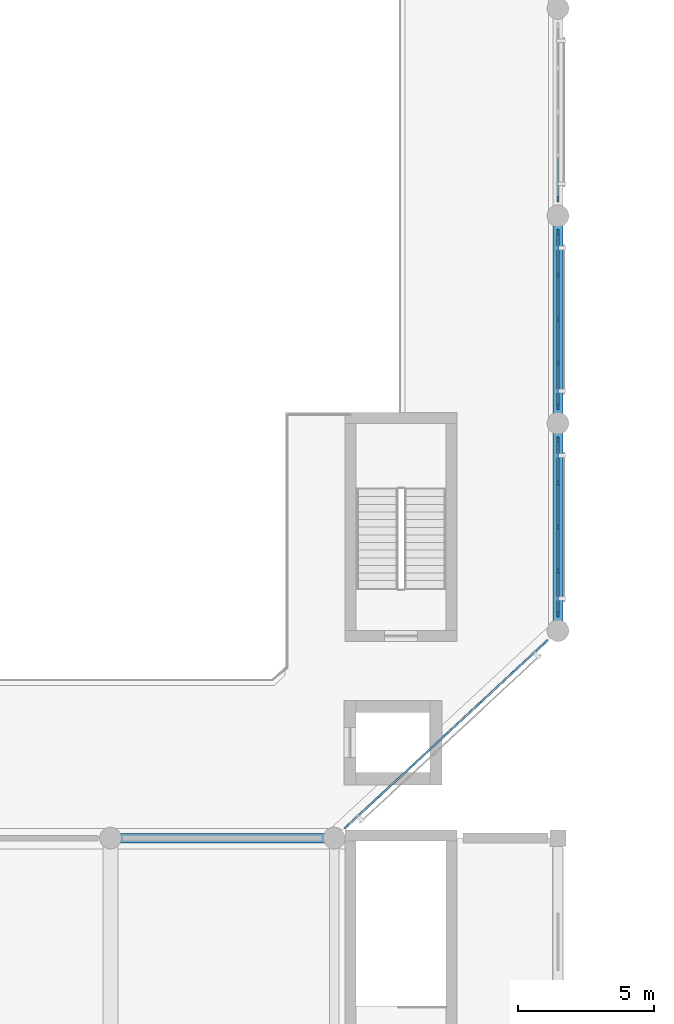
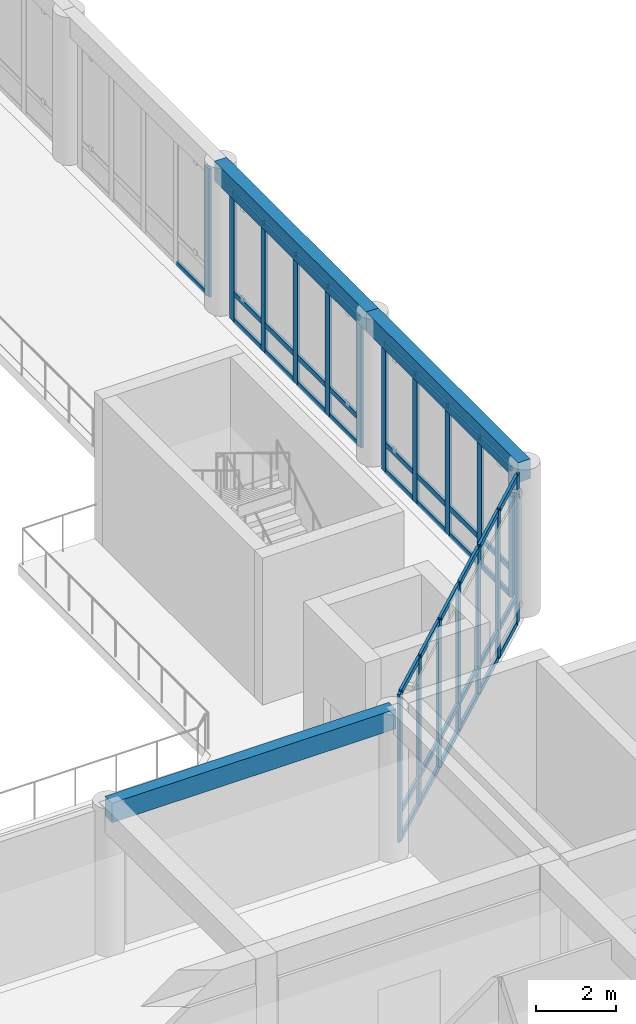
# One storey, part 7 of 57: 61 members, 3 beams, 4 elements without a shape of their own.
"""IFC4 building model written with IfcOpenShell, lengths in metres."""

from ifc_helpers import new_model, si_unit, direction, frame, origin, origin_2d, place, context, subcontext, project, spatial, rectangle, extrude, material, material_profile, profile_set, type_object, element, aggregate, save


model = new_model("IFC4")

# Units and contexts
model_context = context("Model", 3, precision=1e-05, world=origin(), true_north=direction((0.0, 1.0)))
body_context = subcontext(model_context, "Body", "Model", "MODEL_VIEW")
ifc_project = project(units=[si_unit("LENGTHUNIT", "METRE"), si_unit("AREAUNIT", "SQUARE_METRE"), si_unit("VOLUMEUNIT", "CUBIC_METRE"), si_unit("PLANEANGLEUNIT", "RADIAN"), si_unit("MASSUNIT", "GRAM", prefix="KILO")], contexts=[model_context])

# Site, building, storey
site_placement = place(None, origin())
site = spatial("IfcSite", under=ifc_project, at=site_placement, CompositionType="ELEMENT")
building_placement = place(site_placement, origin())
building = spatial("IfcBuilding", under=site, at=building_placement, Name="Qandaris Square Conservatory and Botanical Centre", CompositionType="ELEMENT")
storey_placement = place(building_placement, frame((0.0, 0.0, 5.39990234375)))
storey = spatial("IfcBuildingStorey", under=building, at=storey_placement, Name="L01", CompositionType="ELEMENT", Elevation=5.39990234375)

# Curtain wall, members
ifc_material_1 = material(Name="Anodised Aluminium", Category="aluminium")
curtain_wall_type_1 = type_object("IfcCurtainWallType", Name="Unitised Curtain Wall CW-1-1002x452", PredefinedType="USERDEFINED", material=ifc_material_1)
curtain_wall_1_placement = place(storey_placement, origin())
curtain_wall_1 = element("IfcCurtainWall", 1, at=curtain_wall_1_placement, inside=storey, type_object=curtain_wall_type_1, Name="Curtain Wall CW-CON-L01-2-1", ObjectType="GLAZED CURTAIN WALL", PredefinedType="USERDEFINED")
ifc_material_profile_1 = material_profile(ifc_material_1, rectangle(XDim=0.074951171875, YDim=0.219970703125, at=origin_2d()), Name="ALU-MUL 75x220")
ifc_profile_set_1 = profile_set([ifc_material_profile_1], Name="Anodised Aluminium")
member_type_1 = type_object("IfcMemberType", Name="Conservatory Heavy Mullion 75x220", PredefinedType="MULLION", material=ifc_profile_set_1)
member_1_placement = place(storey_placement, frame((49.452880859375, 47.419677734375, 0.0), z_axis=(0.0, 0.0, 1.0), x_axis=(-0.679761784592, 0.733432966404, 0.0)))
member_1 = element("IfcMember", 2, at=member_1_placement, type_object=member_type_1, Name="CW-1-1002x452 mullion 1", PredefinedType="MULLION", context=body_context, shape_type="SweptSolid", body=[
    extrude(rectangle(XDim=0.074951171875, YDim=0.219970703125, at=origin_2d()), origin(), (0.0, 0.0, 1.0), 4.52001953125),
])
member_2_placement = place(storey_placement, frame((50.650146484375, 48.529541015625, 0.0), z_axis=(0.0, 0.0, 1.0), x_axis=(-0.679761784592, 0.733432966404, 0.0)))
member_2 = element("IfcMember", 3, at=member_2_placement, type_object=member_type_1, Name="CW-1-1002x452 mullion 2", PredefinedType="MULLION", context=body_context, shape_type="SweptSolid", body=[
    extrude(rectangle(XDim=0.074951171875, YDim=0.219970703125, at=origin_2d()), origin(), (0.0, 0.0, 1.0), 4.52001953125),
])
member_3_placement = place(storey_placement, frame((51.875244140625, 49.664794921875, 0.0), z_axis=(0.0, 0.0, 1.0), x_axis=(-0.679761784592, 0.733432966404, 0.0)))
member_3 = element("IfcMember", 4, at=member_3_placement, type_object=member_type_1, Name="CW-1-1002x452 mullion 3", PredefinedType="MULLION", context=body_context, shape_type="SweptSolid", body=[
    extrude(rectangle(XDim=0.074951171875, YDim=0.219970703125, at=origin_2d()), origin(), (0.0, 0.0, 1.0), 4.52001953125),
])
member_4_placement = place(storey_placement, frame((53.10009765625, 50.800048828125, 0.0), z_axis=(0.0, 0.0, 1.0), x_axis=(-0.679761784592, 0.733432966404, 0.0)))
member_4 = element("IfcMember", 5, at=member_4_placement, type_object=member_type_1, Name="CW-1-1002x452 mullion 4", PredefinedType="MULLION", context=body_context, shape_type="SweptSolid", body=[
    extrude(rectangle(XDim=0.074951171875, YDim=0.219970703125, at=origin_2d()), origin(), (0.0, 0.0, 1.0), 4.52001953125),
])
member_5_placement = place(storey_placement, frame((54.324951171875, 51.935302734375, 0.0), z_axis=(0.0, 0.0, 1.0), x_axis=(-0.679761784592, 0.733432966404, 0.0)))
member_5 = element("IfcMember", 6, at=member_5_placement, type_object=member_type_1, Name="CW-1-1002x452 mullion 5", PredefinedType="MULLION", context=body_context, shape_type="SweptSolid", body=[
    extrude(rectangle(XDim=0.074951171875, YDim=0.219970703125, at=origin_2d()), origin(), (0.0, 0.0, 1.0), 4.52001953125),
])
member_6_placement = place(storey_placement, frame((55.5498046875, 53.070556640625, 0.0), z_axis=(0.0, 0.0, 1.0), x_axis=(-0.679761784592, 0.733432966404, 0.0)))
member_6 = element("IfcMember", 7, at=member_6_placement, type_object=member_type_1, Name="CW-1-1002x452 mullion 6", PredefinedType="MULLION", context=body_context, shape_type="SweptSolid", body=[
    extrude(rectangle(XDim=0.074951171875, YDim=0.219970703125, at=origin_2d()), origin(), (0.0, 0.0, 1.0), 4.52001953125),
])
member_7_placement = place(storey_placement, frame((56.7470703125, 54.18017578125, 0.0), z_axis=(0.0, 0.0, 1.0), x_axis=(-0.679761784592, 0.733432966404, 0.0)))
member_7 = element("IfcMember", 8, at=member_7_placement, type_object=member_type_1, Name="CW-1-1002x452 mullion 7", PredefinedType="MULLION", context=body_context, shape_type="SweptSolid", body=[
    extrude(rectangle(XDim=0.074951171875, YDim=0.219970703125, at=origin_2d()), origin(), (0.0, 0.0, 1.0), 4.52001953125),
])

curtain_wall_type_2 = type_object("IfcCurtainWallType", Name="Unitised Curtain Wall CW-1-644x392", PredefinedType="USERDEFINED", material=ifc_material_1)
curtain_wall_2_placement = place(storey_placement, origin())
curtain_wall_2 = element("IfcCurtainWall", 9, at=curtain_wall_2_placement, inside=storey, type_object=curtain_wall_type_2, Name="Curtain Wall CW-CON-L01-3-1", ObjectType="GLAZED CURTAIN WALL", PredefinedType="USERDEFINED")
member_8_placement = place(storey_placement, frame((57.199951171875, 55.217529296875, 0.0), z_axis=(0.0, 0.0, 1.0), x_axis=(-1.0, 0.0, 0.0)))
member_8 = element("IfcMember", 10, at=member_8_placement, type_object=member_type_1, Name="CW-1-644x392 mullion 1", PredefinedType="MULLION", context=body_context, shape_type="SweptSolid", body=[
    extrude(rectangle(XDim=0.074951171875, YDim=0.219970703125, at=origin_2d()), origin(), (0.0, 0.0, 1.0), 3.920166015625),
])
member_9_placement = place(storey_placement, frame((57.199951171875, 56.7900390625, 0.0), z_axis=(0.0, 0.0, 1.0), x_axis=(-1.0, 0.0, 0.0)))
member_9 = element("IfcMember", 11, at=member_9_placement, type_object=member_type_1, Name="CW-1-644x392 mullion 2", PredefinedType="MULLION", context=body_context, shape_type="SweptSolid", body=[
    extrude(rectangle(XDim=0.074951171875, YDim=0.219970703125, at=origin_2d()), origin(), (0.0, 0.0, 1.0), 3.920166015625),
])
member_10_placement = place(storey_placement, frame((57.199951171875, 58.39990234375, 0.0), z_axis=(0.0, 0.0, 1.0), x_axis=(-1.0, 0.0, 0.0)))
member_10 = element("IfcMember", 12, at=member_10_placement, type_object=member_type_1, Name="CW-1-644x392 mullion 3", PredefinedType="MULLION", context=body_context, shape_type="SweptSolid", body=[
    extrude(rectangle(XDim=0.074951171875, YDim=0.219970703125, at=origin_2d()), origin(), (0.0, 0.0, 1.0), 3.920166015625),
])
member_11_placement = place(storey_placement, frame((57.199951171875, 60.010009765625, 0.0), z_axis=(0.0, 0.0, 1.0), x_axis=(-1.0, 0.0, 0.0)))
member_11 = element("IfcMember", 13, at=member_11_placement, type_object=member_type_1, Name="CW-1-644x392 mullion 4", PredefinedType="MULLION", context=body_context, shape_type="SweptSolid", body=[
    extrude(rectangle(XDim=0.074951171875, YDim=0.219970703125, at=origin_2d()), origin(), (0.0, 0.0, 1.0), 3.920166015625),
])
member_12_placement = place(storey_placement, frame((57.199951171875, 61.58251953125, 0.0), z_axis=(0.0, 0.0, 1.0), x_axis=(-1.0, 0.0, 0.0)))
member_12 = element("IfcMember", 14, at=member_12_placement, type_object=member_type_1, Name="CW-1-644x392 mullion 5", PredefinedType="MULLION", context=body_context, shape_type="SweptSolid", body=[
    extrude(rectangle(XDim=0.074951171875, YDim=0.219970703125, at=origin_2d()), origin(), (0.0, 0.0, 1.0), 3.920166015625),
])

curtain_wall_3_placement = place(storey_placement, origin())
curtain_wall_3 = element("IfcCurtainWall", 15, at=curtain_wall_3_placement, inside=storey, type_object=curtain_wall_type_2, Name="Curtain Wall CW-CON-L01-3-2", ObjectType="GLAZED CURTAIN WALL", PredefinedType="USERDEFINED")
member_13_placement = place(storey_placement, frame((57.199951171875, 62.8173828125, 0.0), z_axis=(0.0, 0.0, 1.0), x_axis=(-1.0, 0.0, 0.0)))
member_13 = element("IfcMember", 16, at=member_13_placement, type_object=member_type_1, Name="CW-1-644x392 mullion 1", PredefinedType="MULLION", context=body_context, shape_type="SweptSolid", body=[
    extrude(rectangle(XDim=0.074951171875, YDim=0.219970703125, at=origin_2d()), origin(), (0.0, 0.0, 1.0), 3.920166015625),
])
member_14_placement = place(storey_placement, frame((57.199951171875, 64.389892578125, 0.0), z_axis=(0.0, 0.0, 1.0), x_axis=(-1.0, 0.0, 0.0)))
member_14 = element("IfcMember", 17, at=member_14_placement, type_object=member_type_1, Name="CW-1-644x392 mullion 2", PredefinedType="MULLION", context=body_context, shape_type="SweptSolid", body=[
    extrude(rectangle(XDim=0.074951171875, YDim=0.219970703125, at=origin_2d()), origin(), (0.0, 0.0, 1.0), 3.920166015625),
])
member_15_placement = place(storey_placement, frame((57.199951171875, 66.0, 0.0), z_axis=(0.0, 0.0, 1.0), x_axis=(-1.0, 0.0, 0.0)))
member_15 = element("IfcMember", 18, at=member_15_placement, type_object=member_type_1, Name="CW-1-644x392 mullion 3", PredefinedType="MULLION", context=body_context, shape_type="SweptSolid", body=[
    extrude(rectangle(XDim=0.074951171875, YDim=0.219970703125, at=origin_2d()), origin(), (0.0, 0.0, 1.0), 3.920166015625),
])
member_16_placement = place(storey_placement, frame((57.199951171875, 67.610107421875, 0.0), z_axis=(0.0, 0.0, 1.0), x_axis=(-1.0, 0.0, 0.0)))
member_16 = element("IfcMember", 19, at=member_16_placement, type_object=member_type_1, Name="CW-1-644x392 mullion 4", PredefinedType="MULLION", context=body_context, shape_type="SweptSolid", body=[
    extrude(rectangle(XDim=0.074951171875, YDim=0.219970703125, at=origin_2d()), origin(), (0.0, 0.0, 1.0), 3.920166015625),
])
member_17_placement = place(storey_placement, frame((57.199951171875, 69.1826171875, 0.0), z_axis=(0.0, 0.0, 1.0), x_axis=(-1.0, 0.0, 0.0)))
member_17 = element("IfcMember", 20, at=member_17_placement, type_object=member_type_1, Name="CW-1-644x392 mullion 5", PredefinedType="MULLION", context=body_context, shape_type="SweptSolid", body=[
    extrude(rectangle(XDim=0.074951171875, YDim=0.219970703125, at=origin_2d()), origin(), (0.0, 0.0, 1.0), 3.920166015625),
])

# Curtain wall, member
curtain_wall_4_placement = place(storey_placement, origin())
curtain_wall_4 = element("IfcCurtainWall", 21, at=curtain_wall_4_placement, inside=storey, type_object=curtain_wall_type_2, Name="Curtain Wall CW-CON-L01-3-3", ObjectType="GLAZED CURTAIN WALL", PredefinedType="USERDEFINED")
member_18_placement = place(storey_placement, frame((57.199951171875, 70.41748046875, 0.0), z_axis=(0.0, 0.0, 1.0), x_axis=(-1.0, 0.0, 0.0)))
member_18 = element("IfcMember", 22, at=member_18_placement, type_object=member_type_1, Name="CW-1-644x392 mullion 1", PredefinedType="MULLION", context=body_context, shape_type="SweptSolid", body=[
    extrude(rectangle(XDim=0.074951171875, YDim=0.219970703125, at=origin_2d()), origin(), (0.0, 0.0, 1.0), 3.920166015625),
])

# Member
ifc_material_profile_2 = material_profile(ifc_material_1, rectangle(XDim=0.074951171875, YDim=0.159912109375, at=origin_2d()), Name="ALU-TRN 75x160")
ifc_profile_set_2 = profile_set([ifc_material_profile_2], Name="Anodised Aluminium")
member_type_2 = type_object("IfcMemberType", Name="Conservatory Heavy Transom 75x160", PredefinedType="USERDEFINED", material=ifc_profile_set_2)
member_19_placement = place(storey_placement, frame((49.48046875, 47.4453125, 0.03759765625), z_axis=(0.733401706001, 0.679795511632, 0.0), x_axis=(-0.679795511632, 0.733401706001, 0.0)))
member_19 = element("IfcMember", 23, at=member_19_placement, type_object=member_type_2, Name="CW-1-1002x452 transom 1.1", ObjectType="TRANSOM", PredefinedType="USERDEFINED", context=body_context, shape_type="SweptSolid", body=[
    extrude(rectangle(XDim=0.074951171875, YDim=0.159912109375, at=origin_2d()), origin(), (0.0, 0.0, 1.0), 1.5576171875),
])

member_20_placement = place(storey_placement, frame((49.48046875, 47.4453125, 0.85009765625), z_axis=(0.733401706001, 0.679795511632, 0.0), x_axis=(-0.679795511632, 0.733401706001, 0.0)))
member_20 = element("IfcMember", 24, at=member_20_placement, type_object=member_type_2, Name="CW-1-1002x452 transom 1.2", ObjectType="TRANSOM", PredefinedType="USERDEFINED", context=body_context, shape_type="SweptSolid", body=[
    extrude(rectangle(XDim=0.074951171875, YDim=0.159912109375, at=origin_2d()), origin(), (0.0, 0.0, 1.0), 1.5576171875),
])

member_21_placement = place(storey_placement, frame((49.48046875, 47.4453125, 4.482666015625), z_axis=(0.733401706001, 0.679795511632, 0.0), x_axis=(-0.679795511632, 0.733401706001, 0.0)))
member_21 = element("IfcMember", 25, at=member_21_placement, type_object=member_type_2, Name="CW-1-1002x452 transom 1.3", ObjectType="TRANSOM", PredefinedType="USERDEFINED", context=body_context, shape_type="SweptSolid", body=[
    extrude(rectangle(XDim=0.074951171875, YDim=0.159912109375, at=origin_2d()), origin(), (0.0, 0.0, 1.0), 1.5576171875),
])

member_22_placement = place(storey_placement, frame((50.677734375, 48.554931640625, 0.03759765625), z_axis=(0.733458213943, 0.679734542597, 0.0), x_axis=(-0.679734542597, 0.733458213943, 0.0)))
member_22 = element("IfcMember", 26, at=member_22_placement, type_object=member_type_2, Name="CW-1-1002x452 transom 2.1", ObjectType="TRANSOM", PredefinedType="USERDEFINED", context=body_context, shape_type="SweptSolid", body=[
    extrude(rectangle(XDim=0.074951171875, YDim=0.159912109375, at=origin_2d()), origin(), (0.0, 0.0, 1.0), 1.594970703125),
])

member_23_placement = place(storey_placement, frame((50.677734375, 48.554931640625, 0.85009765625), z_axis=(0.733458213943, 0.679734542597, 0.0), x_axis=(-0.679734542597, 0.733458213943, 0.0)))
member_23 = element("IfcMember", 27, at=member_23_placement, type_object=member_type_2, Name="CW-1-1002x452 transom 2.2", ObjectType="TRANSOM", PredefinedType="USERDEFINED", context=body_context, shape_type="SweptSolid", body=[
    extrude(rectangle(XDim=0.074951171875, YDim=0.159912109375, at=origin_2d()), origin(), (0.0, 0.0, 1.0), 1.594970703125),
])

member_24_placement = place(storey_placement, frame((50.677734375, 48.554931640625, 4.482666015625), z_axis=(0.733458213943, 0.679734542597, 0.0), x_axis=(-0.679734542597, 0.733458213943, 0.0)))
member_24 = element("IfcMember", 28, at=member_24_placement, type_object=member_type_2, Name="CW-1-1002x452 transom 2.3", ObjectType="TRANSOM", PredefinedType="USERDEFINED", context=body_context, shape_type="SweptSolid", body=[
    extrude(rectangle(XDim=0.074951171875, YDim=0.159912109375, at=origin_2d()), origin(), (0.0, 0.0, 1.0), 1.594970703125),
])

member_25_placement = place(storey_placement, frame((51.902587890625, 49.690185546875, 0.03759765625), z_axis=(0.733458213943, 0.679734542597, 0.0), x_axis=(-0.679734542597, 0.733458213943, 0.0)))
member_25 = element("IfcMember", 29, at=member_25_placement, type_object=member_type_2, Name="CW-1-1002x452 transom 3.1", ObjectType="TRANSOM", PredefinedType="USERDEFINED", context=body_context, shape_type="SweptSolid", body=[
    extrude(rectangle(XDim=0.074951171875, YDim=0.159912109375, at=origin_2d()), origin(), (0.0, 0.0, 1.0), 1.594970703125),
])

member_26_placement = place(storey_placement, frame((51.902587890625, 49.690185546875, 0.85009765625), z_axis=(0.733458213943, 0.679734542597, 0.0), x_axis=(-0.679734542597, 0.733458213943, 0.0)))
member_26 = element("IfcMember", 30, at=member_26_placement, type_object=member_type_2, Name="CW-1-1002x452 transom 3.2", ObjectType="TRANSOM", PredefinedType="USERDEFINED", context=body_context, shape_type="SweptSolid", body=[
    extrude(rectangle(XDim=0.074951171875, YDim=0.159912109375, at=origin_2d()), origin(), (0.0, 0.0, 1.0), 1.594970703125),
])

member_27_placement = place(storey_placement, frame((51.902587890625, 49.690185546875, 4.482666015625), z_axis=(0.733458213943, 0.679734542597, 0.0), x_axis=(-0.679734542597, 0.733458213943, 0.0)))
member_27 = element("IfcMember", 31, at=member_27_placement, type_object=member_type_2, Name="CW-1-1002x452 transom 3.3", ObjectType="TRANSOM", PredefinedType="USERDEFINED", context=body_context, shape_type="SweptSolid", body=[
    extrude(rectangle(XDim=0.074951171875, YDim=0.159912109375, at=origin_2d()), origin(), (0.0, 0.0, 1.0), 1.594970703125),
])

member_28_placement = place(storey_placement, frame((53.12744140625, 50.825439453125, 0.03759765625), z_axis=(0.733458213943, 0.679734542597, 0.0), x_axis=(-0.679734542597, 0.733458213943, 0.0)))
member_28 = element("IfcMember", 32, at=member_28_placement, type_object=member_type_2, Name="CW-1-1002x452 transom 4.1", ObjectType="TRANSOM", PredefinedType="USERDEFINED", context=body_context, shape_type="SweptSolid", body=[
    extrude(rectangle(XDim=0.074951171875, YDim=0.159912109375, at=origin_2d()), origin(), (0.0, 0.0, 1.0), 1.594970703125),
])

member_29_placement = place(storey_placement, frame((53.12744140625, 50.825439453125, 0.85009765625), z_axis=(0.733458213943, 0.679734542597, 0.0), x_axis=(-0.679734542597, 0.733458213943, 0.0)))
member_29 = element("IfcMember", 33, at=member_29_placement, type_object=member_type_2, Name="CW-1-1002x452 transom 4.2", ObjectType="TRANSOM", PredefinedType="USERDEFINED", context=body_context, shape_type="SweptSolid", body=[
    extrude(rectangle(XDim=0.074951171875, YDim=0.159912109375, at=origin_2d()), origin(), (0.0, 0.0, 1.0), 1.594970703125),
])

member_30_placement = place(storey_placement, frame((53.12744140625, 50.825439453125, 4.482666015625), z_axis=(0.733458213943, 0.679734542597, 0.0), x_axis=(-0.679734542597, 0.733458213943, 0.0)))
member_30 = element("IfcMember", 34, at=member_30_placement, type_object=member_type_2, Name="CW-1-1002x452 transom 4.3", ObjectType="TRANSOM", PredefinedType="USERDEFINED", context=body_context, shape_type="SweptSolid", body=[
    extrude(rectangle(XDim=0.074951171875, YDim=0.159912109375, at=origin_2d()), origin(), (0.0, 0.0, 1.0), 1.594970703125),
])

member_31_placement = place(storey_placement, frame((54.352294921875, 51.960693359375, 0.03759765625), z_axis=(0.733458213943, 0.679734542597, 0.0), x_axis=(-0.679734542597, 0.733458213943, 0.0)))
member_31 = element("IfcMember", 35, at=member_31_placement, type_object=member_type_2, Name="CW-1-1002x452 transom 5.1", ObjectType="TRANSOM", PredefinedType="USERDEFINED", context=body_context, shape_type="SweptSolid", body=[
    extrude(rectangle(XDim=0.074951171875, YDim=0.159912109375, at=origin_2d()), origin(), (0.0, 0.0, 1.0), 1.594970703125),
])

member_32_placement = place(storey_placement, frame((54.352294921875, 51.960693359375, 0.85009765625), z_axis=(0.733458213943, 0.679734542597, 0.0), x_axis=(-0.679734542597, 0.733458213943, 0.0)))
member_32 = element("IfcMember", 36, at=member_32_placement, type_object=member_type_2, Name="CW-1-1002x452 transom 5.2", ObjectType="TRANSOM", PredefinedType="USERDEFINED", context=body_context, shape_type="SweptSolid", body=[
    extrude(rectangle(XDim=0.074951171875, YDim=0.159912109375, at=origin_2d()), origin(), (0.0, 0.0, 1.0), 1.594970703125),
])

member_33_placement = place(storey_placement, frame((54.352294921875, 51.960693359375, 4.482666015625), z_axis=(0.733458213943, 0.679734542597, 0.0), x_axis=(-0.679734542597, 0.733458213943, 0.0)))
member_33 = element("IfcMember", 37, at=member_33_placement, type_object=member_type_2, Name="CW-1-1002x452 transom 5.3", ObjectType="TRANSOM", PredefinedType="USERDEFINED", context=body_context, shape_type="SweptSolid", body=[
    extrude(rectangle(XDim=0.074951171875, YDim=0.159912109375, at=origin_2d()), origin(), (0.0, 0.0, 1.0), 1.594970703125),
])

member_34_placement = place(storey_placement, frame((55.5771484375, 53.095947265625, 0.03759765625), z_axis=(0.733401706001, 0.679795511632, 0.0), x_axis=(-0.679795511632, 0.733401706001, 0.0)))
member_34 = element("IfcMember", 38, at=member_34_placement, type_object=member_type_2, Name="CW-1-1002x452 transom 6.1", ObjectType="TRANSOM", PredefinedType="USERDEFINED", context=body_context, shape_type="SweptSolid", body=[
    extrude(rectangle(XDim=0.074951171875, YDim=0.159912109375, at=origin_2d()), origin(), (0.0, 0.0, 1.0), 1.5576171875),
])

member_35_placement = place(storey_placement, frame((55.5771484375, 53.095947265625, 0.85009765625), z_axis=(0.733401706001, 0.679795511632, 0.0), x_axis=(-0.679795511632, 0.733401706001, 0.0)))
member_35 = element("IfcMember", 39, at=member_35_placement, type_object=member_type_2, Name="CW-1-1002x452 transom 6.2", ObjectType="TRANSOM", PredefinedType="USERDEFINED", context=body_context, shape_type="SweptSolid", body=[
    extrude(rectangle(XDim=0.074951171875, YDim=0.159912109375, at=origin_2d()), origin(), (0.0, 0.0, 1.0), 1.5576171875),
])

member_36_placement = place(storey_placement, frame((55.5771484375, 53.095947265625, 4.482666015625), z_axis=(0.733401706001, 0.679795511632, 0.0), x_axis=(-0.679795511632, 0.733401706001, 0.0)))
member_36 = element("IfcMember", 40, at=member_36_placement, type_object=member_type_2, Name="CW-1-1002x452 transom 6.3", ObjectType="TRANSOM", PredefinedType="USERDEFINED", context=body_context, shape_type="SweptSolid", body=[
    extrude(rectangle(XDim=0.074951171875, YDim=0.159912109375, at=origin_2d()), origin(), (0.0, 0.0, 1.0), 1.5576171875),
])

aggregate(curtain_wall_1, [member_1, member_2, member_3, member_4, member_5, member_6, member_7, member_19, member_20, member_21, member_22, member_23, member_24, member_25, member_26, member_27, member_28, member_29, member_30, member_31, member_32, member_33, member_34, member_35, member_36])

member_37_placement = place(storey_placement, frame((57.199951171875, 55.2548828125, 0.03759765625), z_axis=(0.0, 1.0, 0.0), x_axis=(-1.0, 0.0, 0.0)))
member_37 = element("IfcMember", 41, at=member_37_placement, type_object=member_type_2, Name="CW-1-644x392 transom 1.1", ObjectType="TRANSOM", PredefinedType="USERDEFINED", context=body_context, shape_type="SweptSolid", body=[
    extrude(rectangle(XDim=0.074951171875, YDim=0.159912109375, at=origin_2d()), origin(), (0.0, 0.0, 1.0), 1.49755859375),
])

member_38_placement = place(storey_placement, frame((57.199951171875, 55.2548828125, 0.85009765625), z_axis=(0.0, 1.0, 0.0), x_axis=(-1.0, 0.0, 0.0)))
member_38 = element("IfcMember", 42, at=member_38_placement, type_object=member_type_2, Name="CW-1-644x392 transom 1.2", ObjectType="TRANSOM", PredefinedType="USERDEFINED", context=body_context, shape_type="SweptSolid", body=[
    extrude(rectangle(XDim=0.074951171875, YDim=0.159912109375, at=origin_2d()), origin(), (0.0, 0.0, 1.0), 1.49755859375),
])

member_39_placement = place(storey_placement, frame((57.199951171875, 55.2548828125, 3.882568359375), z_axis=(0.0, 1.0, 0.0), x_axis=(-1.0, 0.0, 0.0)))
member_39 = element("IfcMember", 43, at=member_39_placement, type_object=member_type_2, Name="CW-1-644x392 transom 1.3", ObjectType="TRANSOM", PredefinedType="USERDEFINED", context=body_context, shape_type="SweptSolid", body=[
    extrude(rectangle(XDim=0.074951171875, YDim=0.159912109375, at=origin_2d()), origin(), (0.0, 0.0, 1.0), 1.49755859375),
])

member_40_placement = place(storey_placement, frame((57.199951171875, 56.827392578125, 0.03759765625), z_axis=(0.0, 1.0, 0.0), x_axis=(-1.0, 0.0, 0.0)))
member_40 = element("IfcMember", 44, at=member_40_placement, type_object=member_type_2, Name="CW-1-644x392 transom 2.1", ObjectType="TRANSOM", PredefinedType="USERDEFINED", context=body_context, shape_type="SweptSolid", body=[
    extrude(rectangle(XDim=0.074951171875, YDim=0.159912109375, at=origin_2d()), origin(), (0.0, 0.0, 1.0), 1.53515625),
])

member_41_placement = place(storey_placement, frame((57.199951171875, 56.827392578125, 0.85009765625), z_axis=(0.0, 1.0, 0.0), x_axis=(-1.0, 0.0, 0.0)))
member_41 = element("IfcMember", 45, at=member_41_placement, type_object=member_type_2, Name="CW-1-644x392 transom 2.2", ObjectType="TRANSOM", PredefinedType="USERDEFINED", context=body_context, shape_type="SweptSolid", body=[
    extrude(rectangle(XDim=0.074951171875, YDim=0.159912109375, at=origin_2d()), origin(), (0.0, 0.0, 1.0), 1.53515625),
])

member_42_placement = place(storey_placement, frame((57.199951171875, 56.827392578125, 3.882568359375), z_axis=(0.0, 1.0, 0.0), x_axis=(-1.0, 0.0, 0.0)))
member_42 = element("IfcMember", 46, at=member_42_placement, type_object=member_type_2, Name="CW-1-644x392 transom 2.3", ObjectType="TRANSOM", PredefinedType="USERDEFINED", context=body_context, shape_type="SweptSolid", body=[
    extrude(rectangle(XDim=0.074951171875, YDim=0.159912109375, at=origin_2d()), origin(), (0.0, 0.0, 1.0), 1.53515625),
])

member_43_placement = place(storey_placement, frame((57.199951171875, 58.4375, 0.03759765625), z_axis=(0.0, 1.0, 0.0), x_axis=(-1.0, 0.0, 0.0)))
member_43 = element("IfcMember", 47, at=member_43_placement, type_object=member_type_2, Name="CW-1-644x392 transom 3.1", ObjectType="TRANSOM", PredefinedType="USERDEFINED", context=body_context, shape_type="SweptSolid", body=[
    extrude(rectangle(XDim=0.074951171875, YDim=0.159912109375, at=origin_2d()), origin(), (0.0, 0.0, 1.0), 1.534912109375),
])

member_44_placement = place(storey_placement, frame((57.199951171875, 58.4375, 0.85009765625), z_axis=(0.0, 1.0, 0.0), x_axis=(-1.0, 0.0, 0.0)))
member_44 = element("IfcMember", 48, at=member_44_placement, type_object=member_type_2, Name="CW-1-644x392 transom 3.2", ObjectType="TRANSOM", PredefinedType="USERDEFINED", context=body_context, shape_type="SweptSolid", body=[
    extrude(rectangle(XDim=0.074951171875, YDim=0.159912109375, at=origin_2d()), origin(), (0.0, 0.0, 1.0), 1.534912109375),
])

member_45_placement = place(storey_placement, frame((57.199951171875, 58.4375, 3.882568359375), z_axis=(0.0, 1.0, 0.0), x_axis=(-1.0, 0.0, 0.0)))
member_45 = element("IfcMember", 49, at=member_45_placement, type_object=member_type_2, Name="CW-1-644x392 transom 3.3", ObjectType="TRANSOM", PredefinedType="USERDEFINED", context=body_context, shape_type="SweptSolid", body=[
    extrude(rectangle(XDim=0.074951171875, YDim=0.159912109375, at=origin_2d()), origin(), (0.0, 0.0, 1.0), 1.534912109375),
])

member_46_placement = place(storey_placement, frame((57.199951171875, 60.047607421875, 0.03759765625), z_axis=(0.0, 1.0, 0.0), x_axis=(-1.0, 0.0, 0.0)))
member_46 = element("IfcMember", 50, at=member_46_placement, type_object=member_type_2, Name="CW-1-644x392 transom 4.1", ObjectType="TRANSOM", PredefinedType="USERDEFINED", context=body_context, shape_type="SweptSolid", body=[
    extrude(rectangle(XDim=0.074951171875, YDim=0.159912109375, at=origin_2d()), origin(), (0.0, 0.0, 1.0), 1.497314453125),
])

member_47_placement = place(storey_placement, frame((57.199951171875, 60.047607421875, 0.85009765625), z_axis=(0.0, 1.0, 0.0), x_axis=(-1.0, 0.0, 0.0)))
member_47 = element("IfcMember", 51, at=member_47_placement, type_object=member_type_2, Name="CW-1-644x392 transom 4.2", ObjectType="TRANSOM", PredefinedType="USERDEFINED", context=body_context, shape_type="SweptSolid", body=[
    extrude(rectangle(XDim=0.074951171875, YDim=0.159912109375, at=origin_2d()), origin(), (0.0, 0.0, 1.0), 1.497314453125),
])

member_48_placement = place(storey_placement, frame((57.199951171875, 60.047607421875, 3.882568359375), z_axis=(0.0, 1.0, 0.0), x_axis=(-1.0, 0.0, 0.0)))
member_48 = element("IfcMember", 52, at=member_48_placement, type_object=member_type_2, Name="CW-1-644x392 transom 4.3", ObjectType="TRANSOM", PredefinedType="USERDEFINED", context=body_context, shape_type="SweptSolid", body=[
    extrude(rectangle(XDim=0.074951171875, YDim=0.159912109375, at=origin_2d()), origin(), (0.0, 0.0, 1.0), 1.497314453125),
])

aggregate(curtain_wall_2, [member_8, member_9, member_10, member_11, member_12, member_37, member_38, member_39, member_40, member_41, member_42, member_43, member_44, member_45, member_46, member_47, member_48])

member_49_placement = place(storey_placement, frame((57.199951171875, 62.85498046875, 0.03759765625), z_axis=(0.0, 1.0, 0.0), x_axis=(-1.0, 0.0, 0.0)))
member_49 = element("IfcMember", 53, at=member_49_placement, type_object=member_type_2, Name="CW-1-644x392 transom 1.1", ObjectType="TRANSOM", PredefinedType="USERDEFINED", context=body_context, shape_type="SweptSolid", body=[
    extrude(rectangle(XDim=0.074951171875, YDim=0.159912109375, at=origin_2d()), origin(), (0.0, 0.0, 1.0), 1.49755859375),
])

member_50_placement = place(storey_placement, frame((57.199951171875, 62.85498046875, 0.85009765625), z_axis=(0.0, 1.0, 0.0), x_axis=(-1.0, 0.0, 0.0)))
member_50 = element("IfcMember", 54, at=member_50_placement, type_object=member_type_2, Name="CW-1-644x392 transom 1.2", ObjectType="TRANSOM", PredefinedType="USERDEFINED", context=body_context, shape_type="SweptSolid", body=[
    extrude(rectangle(XDim=0.074951171875, YDim=0.159912109375, at=origin_2d()), origin(), (0.0, 0.0, 1.0), 1.49755859375),
])

member_51_placement = place(storey_placement, frame((57.199951171875, 62.85498046875, 3.882568359375), z_axis=(0.0, 1.0, 0.0), x_axis=(-1.0, 0.0, 0.0)))
member_51 = element("IfcMember", 55, at=member_51_placement, type_object=member_type_2, Name="CW-1-644x392 transom 1.3", ObjectType="TRANSOM", PredefinedType="USERDEFINED", context=body_context, shape_type="SweptSolid", body=[
    extrude(rectangle(XDim=0.074951171875, YDim=0.159912109375, at=origin_2d()), origin(), (0.0, 0.0, 1.0), 1.49755859375),
])

member_52_placement = place(storey_placement, frame((57.199951171875, 64.427490234375, 0.03759765625), z_axis=(0.0, 1.0, 0.0), x_axis=(-1.0, 0.0, 0.0)))
member_52 = element("IfcMember", 56, at=member_52_placement, type_object=member_type_2, Name="CW-1-644x392 transom 2.1", ObjectType="TRANSOM", PredefinedType="USERDEFINED", context=body_context, shape_type="SweptSolid", body=[
    extrude(rectangle(XDim=0.074951171875, YDim=0.159912109375, at=origin_2d()), origin(), (0.0, 0.0, 1.0), 1.534912109375),
])

member_53_placement = place(storey_placement, frame((57.199951171875, 64.427490234375, 0.85009765625), z_axis=(0.0, 1.0, 0.0), x_axis=(-1.0, 0.0, 0.0)))
member_53 = element("IfcMember", 57, at=member_53_placement, type_object=member_type_2, Name="CW-1-644x392 transom 2.2", ObjectType="TRANSOM", PredefinedType="USERDEFINED", context=body_context, shape_type="SweptSolid", body=[
    extrude(rectangle(XDim=0.074951171875, YDim=0.159912109375, at=origin_2d()), origin(), (0.0, 0.0, 1.0), 1.534912109375),
])

member_54_placement = place(storey_placement, frame((57.199951171875, 64.427490234375, 3.882568359375), z_axis=(0.0, 1.0, 0.0), x_axis=(-1.0, 0.0, 0.0)))
member_54 = element("IfcMember", 58, at=member_54_placement, type_object=member_type_2, Name="CW-1-644x392 transom 2.3", ObjectType="TRANSOM", PredefinedType="USERDEFINED", context=body_context, shape_type="SweptSolid", body=[
    extrude(rectangle(XDim=0.074951171875, YDim=0.159912109375, at=origin_2d()), origin(), (0.0, 0.0, 1.0), 1.534912109375),
])

member_55_placement = place(storey_placement, frame((57.199951171875, 66.03759765625, 0.03759765625), z_axis=(0.0, 1.0, 0.0), x_axis=(-1.0, 0.0, 0.0)))
member_55 = element("IfcMember", 59, at=member_55_placement, type_object=member_type_2, Name="CW-1-644x392 transom 3.1", ObjectType="TRANSOM", PredefinedType="USERDEFINED", context=body_context, shape_type="SweptSolid", body=[
    extrude(rectangle(XDim=0.074951171875, YDim=0.159912109375, at=origin_2d()), origin(), (0.0, 0.0, 1.0), 1.534912109375),
])

member_56_placement = place(storey_placement, frame((57.199951171875, 66.03759765625, 0.85009765625), z_axis=(0.0, 1.0, 0.0), x_axis=(-1.0, 0.0, 0.0)))
member_56 = element("IfcMember", 60, at=member_56_placement, type_object=member_type_2, Name="CW-1-644x392 transom 3.2", ObjectType="TRANSOM", PredefinedType="USERDEFINED", context=body_context, shape_type="SweptSolid", body=[
    extrude(rectangle(XDim=0.074951171875, YDim=0.159912109375, at=origin_2d()), origin(), (0.0, 0.0, 1.0), 1.534912109375),
])

member_57_placement = place(storey_placement, frame((57.199951171875, 66.03759765625, 3.882568359375), z_axis=(0.0, 1.0, 0.0), x_axis=(-1.0, 0.0, 0.0)))
member_57 = element("IfcMember", 61, at=member_57_placement, type_object=member_type_2, Name="CW-1-644x392 transom 3.3", ObjectType="TRANSOM", PredefinedType="USERDEFINED", context=body_context, shape_type="SweptSolid", body=[
    extrude(rectangle(XDim=0.074951171875, YDim=0.159912109375, at=origin_2d()), origin(), (0.0, 0.0, 1.0), 1.534912109375),
])

member_58_placement = place(storey_placement, frame((57.199951171875, 67.6474609375, 0.03759765625), z_axis=(0.0, 1.0, 0.0), x_axis=(-1.0, 0.0, 0.0)))
member_58 = element("IfcMember", 62, at=member_58_placement, type_object=member_type_2, Name="CW-1-644x392 transom 4.1", ObjectType="TRANSOM", PredefinedType="USERDEFINED", context=body_context, shape_type="SweptSolid", body=[
    extrude(rectangle(XDim=0.074951171875, YDim=0.159912109375, at=origin_2d()), origin(), (0.0, 0.0, 1.0), 1.49755859375),
])

member_59_placement = place(storey_placement, frame((57.199951171875, 67.6474609375, 0.85009765625), z_axis=(0.0, 1.0, 0.0), x_axis=(-1.0, 0.0, 0.0)))
member_59 = element("IfcMember", 63, at=member_59_placement, type_object=member_type_2, Name="CW-1-644x392 transom 4.2", ObjectType="TRANSOM", PredefinedType="USERDEFINED", context=body_context, shape_type="SweptSolid", body=[
    extrude(rectangle(XDim=0.074951171875, YDim=0.159912109375, at=origin_2d()), origin(), (0.0, 0.0, 1.0), 1.49755859375),
])

member_60_placement = place(storey_placement, frame((57.199951171875, 67.6474609375, 3.882568359375), z_axis=(0.0, 1.0, 0.0), x_axis=(-1.0, 0.0, 0.0)))
member_60 = element("IfcMember", 64, at=member_60_placement, type_object=member_type_2, Name="CW-1-644x392 transom 4.3", ObjectType="TRANSOM", PredefinedType="USERDEFINED", context=body_context, shape_type="SweptSolid", body=[
    extrude(rectangle(XDim=0.074951171875, YDim=0.159912109375, at=origin_2d()), origin(), (0.0, 0.0, 1.0), 1.49755859375),
])

aggregate(curtain_wall_3, [member_13, member_14, member_15, member_16, member_17, member_49, member_50, member_51, member_52, member_53, member_54, member_55, member_56, member_57, member_58, member_59, member_60])

member_61_placement = place(storey_placement, frame((57.199951171875, 70.455078125, 0.03759765625), z_axis=(0.0, 1.0, 0.0), x_axis=(-1.0, 0.0, 0.0)))
member_61 = element("IfcMember", 65, at=member_61_placement, type_object=member_type_2, Name="CW-1-644x392 transom 1.1", ObjectType="TRANSOM", PredefinedType="USERDEFINED", context=body_context, shape_type="SweptSolid", body=[
    extrude(rectangle(XDim=0.074951171875, YDim=0.159912109375, at=origin_2d()), origin(), (0.0, 0.0, 1.0), 1.497314453125),
])

aggregate(curtain_wall_4, [member_18, member_61])

# Beams
ifc_material_2 = material(Name="Concrete C50/60", Category="concrete")
ifc_material_profile_3 = material_profile(ifc_material_2, rectangle(XDim=0.35009765625, YDim=0.60009765625, at=origin_2d()), Name="RC-SP 350x600")
ifc_profile_set_3 = profile_set([ifc_material_profile_3], Name="Concrete C50/60")
beam_type = type_object("IfcBeamType", Name="RC Edge Spandrel Beam 350x600", PredefinedType="SPANDREL", material=ifc_profile_set_3)
beam_1_placement = place(storey_placement, frame((40.800048828125, 47.0, 4.22021484375), z_axis=(1.0, 0.0, 0.0), x_axis=(0.0, 1.0, 0.0)))
element("IfcBeam", 66, at=beam_1_placement, inside=storey, type_object=beam_type, Name="L01 Frame Beam 0947", PredefinedType="SPANDREL", context=body_context, shape_type="SweptSolid", body=[
    extrude(rectangle(XDim=0.35009765625, YDim=0.60009765625, at=origin_2d()), origin(), (0.0, 0.0, 1.0), 8.199951171875),
])
beam_2_placement = place(storey_placement, frame((57.199951171875, 54.60009765625, 4.22021484375), z_axis=(0.0, 1.0, 0.0), x_axis=(-1.0, 0.0, 0.0)))
element("IfcBeam", 67, at=beam_2_placement, inside=storey, type_object=beam_type, Name="L01 Frame Beam 1040", PredefinedType="SPANDREL", context=body_context, shape_type="SweptSolid", body=[
    extrude(rectangle(XDim=0.35009765625, YDim=0.60009765625, at=origin_2d()), origin(), (0.0, 0.0, 1.0), 7.599853515625),
])
beam_3_placement = place(storey_placement, frame((57.199951171875, 62.199951171875, 4.22021484375), z_axis=(0.0, 1.0, 0.0), x_axis=(-1.0, 0.0, 0.0)))
element("IfcBeam", 68, at=beam_3_placement, inside=storey, type_object=beam_type, Name="L01 Frame Beam 1041", PredefinedType="SPANDREL", context=body_context, shape_type="SweptSolid", body=[
    extrude(rectangle(XDim=0.35009765625, YDim=0.60009765625, at=origin_2d()), origin(), (0.0, 0.0, 1.0), 7.60009765625),
])

save(model, "model.ifc")
